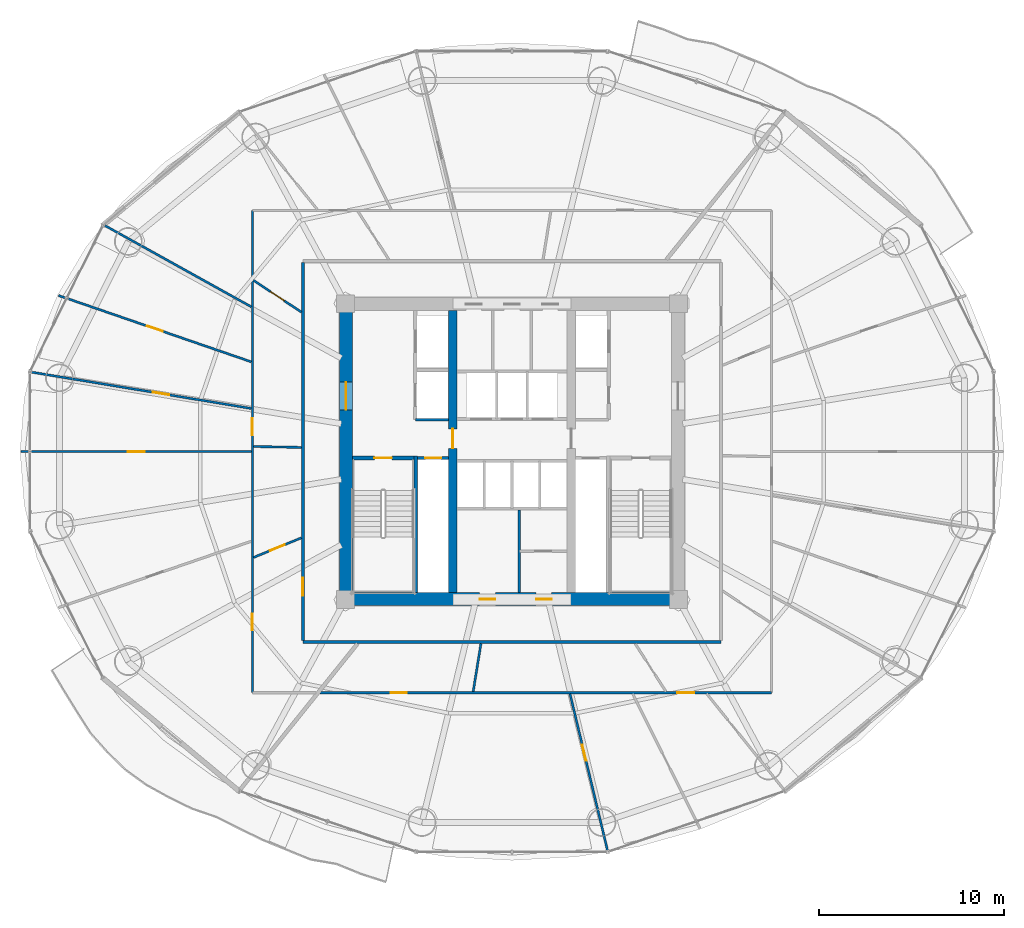
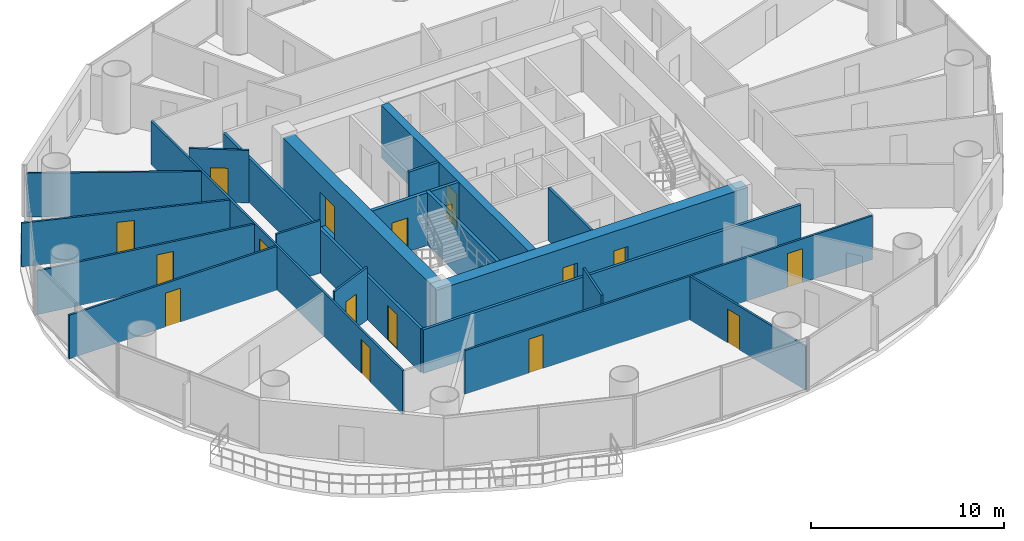
# One storey, part 22 of 29: 21 walls, 17 doors, 17 openings.
"""IFC4 building model written with IfcOpenShell, lengths in metres."""

from ifc_helpers import new_model, si_unit, direction, frame, frame_2d, origin, place, context, subcontext, project, spatial, rectangle, extrude, source, transform, mapped, material, layer, layer_set, type_object, element, fill, save


model = new_model("IFC4")

# Units and contexts
model_context = context("Model", 3, precision=1e-05, world=origin(), true_north=direction((-0.2419218956, 0.970295726276)))
body_context = subcontext(model_context, "Body", "Model", "MODEL_VIEW")
ifc_project = project(units=[si_unit("LENGTHUNIT", "METRE"), si_unit("AREAUNIT", "SQUARE_METRE"), si_unit("VOLUMEUNIT", "CUBIC_METRE"), si_unit("PLANEANGLEUNIT", "RADIAN"), si_unit("MASSUNIT", "GRAM", prefix="KILO")], contexts=[model_context])

# Site, building, storey
site_placement = place(None, origin())
site = spatial("IfcSite", under=ifc_project, at=site_placement, CompositionType="ELEMENT")
building_placement = place(site_placement, origin())
building = spatial("IfcBuilding", under=site, at=building_placement, Name="Cobrevalo Terracotta Tower", CompositionType="ELEMENT")
storey_placement = place(building_placement, frame((0.0, 0.0, 115.800048828125)))
storey = spatial("IfcBuildingStorey", under=building, at=storey_placement, Name="L30", CompositionType="ELEMENT", Elevation=115.800048828125)

# Wall, openings, doors
ifc_material_1 = material(Name="Concrete C60", Category="concrete")
ifc_layer_1 = layer(ifc_material_1, 0.699951171875)
ifc_layer_set_1 = layer_set([ifc_layer_1], Name="Concrete C60")
wall_type_1 = type_object("IfcWallType", Name="Core shear wall 700 mm Concrete C60", PredefinedType="SHEAR", material=ifc_layer_set_1)
wall_1_placement = place(storey_placement, frame((28.675048828125, 18.824951171875, 0.0), z_axis=(0.0, 0.0, 1.0), x_axis=(1.0, 0.0, 0.0)))
wall_1 = element("IfcWall", 1, at=wall_1_placement, inside=storey, type_object=wall_type_1, Name="L30 south core shear wall", PredefinedType="SHEAR", context=body_context, shape_type="SweptSolid", body=[
    extrude(rectangle(XDim=18.64990234375, YDim=0.699951171875, at=frame_2d((9.324951171875, 0.0))), origin(), (0.0, 0.0, 1.0), 3.324951171875),
])
opening_1_placement = place(wall_1_placement, frame((7.577392578125, 0.0, 0.0)))
opening_1 = element("IfcOpeningElement", 2, at=opening_1_placement, cuts=wall_1, Name="Opening ID-22", PredefinedType="OPENING", context=body_context, shape_type="SweptSolid", body=[
    extrude(rectangle(XDim=0.85009765625, YDim=2.10009765625, at=frame_2d((0.425048828125, 1.050048828125))), frame((0.0, 0.35986328125, 0.0), z_axis=(0.0, -1.0, 0.0), x_axis=(1.0, 0.0, 0.0)), (0.0, 0.0, 1.0), 0.719970703125),
])
opening_2_placement = place(wall_1_placement, frame((10.62255859375, 0.0, 0.0)))
opening_2 = element("IfcOpeningElement", 3, at=opening_2_placement, cuts=wall_1, Name="Opening ID-22", PredefinedType="OPENING", context=body_context, shape_type="SweptSolid", body=[
    extrude(rectangle(XDim=0.85009765625, YDim=2.10009765625, at=frame_2d((0.425048828125, 1.050048828125))), frame((0.0, 0.35986328125, 0.0), z_axis=(0.0, -1.0, 0.0), x_axis=(1.0, 0.0, 0.0)), (0.0, 0.0, 1.0), 0.719970703125),
])
ifc_material_2 = material(Name="Powder-coated steel", Category="steel")
door_type_1 = type_object("IfcDoorType", Name="Riser shaft & meter closet fire access door 850x2100 EI 60", OperationType="NOTDEFINED", PredefinedType="DOOR", material=ifc_material_2)
shared_shape_1 = source(origin(), body_context, "Body", "SweptSolid", [
    extrude(rectangle(XDim=0.85009765625, YDim=2.10009765625, at=frame_2d((0.425048828125, 1.050048828125))), frame((0.0, 0.02490234375, 0.0), z_axis=(0.0, -1.0, 0.0), x_axis=(1.0, 0.0, 0.0)), (0.0, 0.0, 1.0), 0.050048828125),
])
door_1_placement = place(opening_1_placement, origin())
door_1 = element("IfcDoor", 4, at=door_1_placement, inside=storey, type_object=door_type_1, Name="L30 core south plant door Floor AHU Mechanical Plant", OperationType="SINGLE_SWING_RIGHT", OverallHeight=2.10009765625, OverallWidth=0.85009765625, PredefinedType="DOOR", context=body_context, shape_type="MappedRepresentation", body=[
    mapped(shared_shape_1, transform((0.0, 0.0, 0.0), scale=1.0)),
])
fill(opening_1, door_1)
door_2_placement = place(opening_2_placement, origin())
door_2 = element("IfcDoor", 5, at=door_2_placement, inside=storey, type_object=door_type_1, Name="L30 core south plant door Sprinkler Valve Plant", OperationType="SINGLE_SWING_RIGHT", OverallHeight=2.10009765625, OverallWidth=0.85009765625, PredefinedType="DOOR", context=body_context, shape_type="MappedRepresentation", body=[
    mapped(shared_shape_1, transform((0.0, 0.0, 0.0), scale=1.0)),
])
fill(opening_2, door_2)

# Wall, opening, door
wall_2_placement = place(storey_placement, frame((29.02490234375, 19.175048828125, 0.0), z_axis=(0.0, 0.0, 1.0), x_axis=(0.0, 1.0, 0.0)))
wall_2 = element("IfcWall", 6, at=wall_2_placement, inside=storey, type_object=wall_type_1, Name="L30 west core shear wall", PredefinedType="SHEAR", context=body_context, shape_type="SweptSolid", body=[
    extrude(rectangle(XDim=15.25, YDim=0.699951171875, at=frame_2d((7.625, 0.0))), origin(), (0.0, 0.0, 1.0), 3.324951171875),
])
opening_3_placement = place(wall_2_placement, frame((9.875, 0.0, 0.0)))
opening_3 = element("IfcOpeningElement", 7, at=opening_3_placement, cuts=wall_2, Name="Opening ID-14", PredefinedType="OPENING", context=body_context, shape_type="SweptSolid", body=[
    extrude(rectangle(XDim=1.5, YDim=2.199951171875, at=frame_2d((0.75, 1.10009765625))), frame((0.0, 0.35986328125, 0.0), z_axis=(0.0, -1.0, 0.0), x_axis=(1.0, 0.0, 0.0)), (0.0, 0.0, 1.0), 0.719970703125),
])
ifc_material_3 = material(Name="Galvanized fire-rated steel", Category="steel")
door_type_2 = type_object("IfcDoorType", Name="Core cross-lobby double fire door 1500x2200 EI 90", OperationType="NOTDEFINED", PredefinedType="DOOR", material=ifc_material_3)
shared_shape_2 = source(origin(), body_context, "Body", "SweptSolid", [
    extrude(rectangle(XDim=1.5, YDim=2.199951171875, at=frame_2d((0.75, 1.10009765625))), frame((0.0, 0.02490234375, 0.0), z_axis=(0.0, -1.0, 0.0), x_axis=(1.0, 0.0, 0.0)), (0.0, 0.0, 1.0), 0.050048828125),
])
door_3_placement = place(opening_3_placement, origin())
door_3 = element("IfcDoor", 8, at=door_3_placement, inside=storey, type_object=door_type_2, Name="L30 west firefighting lobby entrance door", OperationType="DOUBLE_DOOR_SINGLE_SWING", OverallHeight=2.199951171875, OverallWidth=1.5, PredefinedType="DOOR", context=body_context, shape_type="MappedRepresentation", body=[
    mapped(shared_shape_2, transform((0.0, 0.0, 0.0), scale=1.0)),
])
fill(opening_3, door_3)

# Walls
ifc_material_4 = material(Name="Gypsum board on steel stud", Category="steel")
ifc_layer_2 = layer(ifc_material_4, 0.159912109375)
ifc_layer_set_2 = layer_set([ifc_layer_2], Name="Gypsum board on steel stud")
wall_type_2 = type_object("IfcWallType", Name="Fire-rated corridor acoustic partition wall 160 mm", PredefinedType="PARTITIONING", material=ifc_layer_set_2)
wall_3_placement = place(storey_placement, frame((32.77001953125, 28.52001953125, 0.0), z_axis=(0.0, 0.0, 1.0), x_axis=(1.0, 0.0, 0.0)))
element("IfcWall", 9, at=wall_3_placement, inside=storey, type_object=wall_type_2, Name="L30 interior partition IW-L30-FF1-S", PredefinedType="PARTITIONING", context=body_context, shape_type="SweptSolid", body=[
    extrude(rectangle(XDim=1.804931640625, YDim=0.159912109375, at=frame_2d((0.90234375, 0.0))), origin(), (0.0, 0.0, 1.0), 3.324951171875),
])
wall_4_placement = place(storey_placement, frame((26.695068359375, 16.4951171875, 0.0), z_axis=(0.0, 0.0, 1.0), x_axis=(1.0, 0.0, 0.0)))
element("IfcWall", 10, at=wall_4_placement, inside=storey, type_object=wall_type_2, Name="L30 interior partition IW-L30-COR-S", PredefinedType="PARTITIONING", context=body_context, shape_type="SweptSolid", body=[
    extrude(rectangle(XDim=22.60986328125, YDim=0.159912109375, at=frame_2d((11.304931640625, 0.0))), origin(), (0.0, 0.0, 1.0), 2.766845703125),
])

# Wall, opening, door
wall_5_placement = place(storey_placement, frame((26.695068359375, 16.574951171875, 0.0), z_axis=(0.0, 0.0, 1.0), x_axis=(0.0, 1.0, 0.0)))
wall_5 = element("IfcWall", 11, at=wall_5_placement, inside=storey, type_object=wall_type_2, Name="L30 interior partition IW-L30-COR-W", PredefinedType="PARTITIONING", context=body_context, shape_type="SweptSolid", body=[
    extrude(rectangle(XDim=20.449951171875, YDim=0.159912109375, at=frame_2d((10.22509765625, 0.0))), origin(), (0.0, 0.0, 1.0), 2.766845703125),
])
opening_4_placement = place(wall_5_placement, frame((2.42431640625, 0.0, 0.0)))
opening_4 = element("IfcOpeningElement", 12, at=opening_4_placement, cuts=wall_5, Name="Opening ID-05", PredefinedType="OPENING", context=body_context, shape_type="SweptSolid", body=[
    extrude(rectangle(XDim=0.97998046875, YDim=2.199951171875, at=frame_2d((0.489990234375, 1.10009765625))), frame((0.0, 0.08984375, 0.0), z_axis=(0.0, -1.0, 0.0), x_axis=(1.0, 0.0, 0.0)), (0.0, 0.0, 1.0), 0.179931640625),
])
ifc_material_5 = material(Name="Solid hardwood timber", Category="wood")
door_type_3 = type_object("IfcDoorType", Name="Residence entrance fire-rated acoustic timber door 980x2200 EI 60", OperationType="NOTDEFINED", PredefinedType="DOOR", material=ifc_material_5)
shared_shape_3 = source(origin(), body_context, "Body", "SweptSolid", [
    extrude(rectangle(XDim=0.97998046875, YDim=2.199951171875, at=frame_2d((0.489990234375, 1.10009765625))), frame((0.0, 0.02490234375, 0.0), z_axis=(0.0, -1.0, 0.0), x_axis=(1.0, 0.0, 0.0)), (0.0, 0.0, 1.0), 0.050048828125),
])
door_4_placement = place(opening_4_placement, origin())
door_4 = element("IfcDoor", 13, at=door_4_placement, inside=storey, type_object=door_type_3, Name="Flat L30A fire-rated apartment entrance door", OperationType="SINGLE_SWING_RIGHT", OverallHeight=2.199951171875, OverallWidth=0.97998046875, PredefinedType="DOOR", context=body_context, shape_type="MappedRepresentation", body=[
    mapped(shared_shape_3, transform((0.0, 0.0, 0.0), scale=1.0)),
])
fill(opening_4, door_4)

ifc_layer_3 = layer(ifc_material_4, 0.179931640625)
ifc_layer_set_3 = layer_set([ifc_layer_3], Name="Gypsum board on steel stud")
wall_type_3 = type_object("IfcWallType", Name="Fire-rated shaft & lobby acoustic partition wall 180 mm", PredefinedType="PARTITIONING", material=ifc_layer_set_3)
wall_6_placement = place(storey_placement, frame((32.89990234375, 26.449951171875, 0.0), z_axis=(0.0, 0.0, 1.0), x_axis=(1.0, 0.0, 0.0)))
wall_6 = element("IfcWall", 14, at=wall_6_placement, inside=storey, type_object=wall_type_3, Name="L30 interior partition IW-L30-RSW-N", PredefinedType="PARTITIONING", context=body_context, shape_type="SweptSolid", body=[
    extrude(rectangle(XDim=1.675048828125, YDim=0.179931640625, at=frame_2d((0.83740234375, 0.0))), origin(), (0.0, 0.0, 1.0), 3.324951171875),
])
opening_5_placement = place(wall_6_placement, frame((0.41259765625, 0.0, 0.0)))
opening_5 = element("IfcOpeningElement", 15, at=opening_5_placement, cuts=wall_6, Name="Opening ID-22", PredefinedType="OPENING", context=body_context, shape_type="SweptSolid", body=[
    extrude(rectangle(XDim=0.85009765625, YDim=2.10009765625, at=frame_2d((0.425048828125, 1.050048828125))), frame((0.0, 0.10009765625, 0.0), z_axis=(0.0, -1.0, 0.0), x_axis=(1.0, 0.0, 0.0)), (0.0, 0.0, 1.0), 0.199951171875),
])
door_5_placement = place(opening_5_placement, origin())
door_5 = element("IfcDoor", 16, at=door_5_placement, inside=storey, type_object=door_type_1, Name="L30 riser access door RSW", OperationType="SINGLE_SWING_LEFT", OverallHeight=2.10009765625, OverallWidth=0.85009765625, PredefinedType="DOOR", context=body_context, shape_type="MappedRepresentation", body=[
    mapped(shared_shape_1, transform((0.0, 0.0, 0.0), scale=1.0)),
])
fill(opening_5, door_5)

ifc_material_6 = material(Name="Concrete C55", Category="concrete")
ifc_layer_4 = layer(ifc_material_6, 0.449951171875)
ifc_layer_set_4 = layer_set([ifc_layer_4], Name="Concrete C55")
wall_type_4 = type_object("IfcWallType", Name="Internal core shear web wall 450 mm Concrete C55", PredefinedType="SHEAR", material=ifc_layer_set_4)
wall_7_placement = place(storey_placement, frame((34.800048828125, 19.175048828125, 0.0), z_axis=(0.0, 0.0, 1.0), x_axis=(0.0, 1.0, 0.0)))
wall_7 = element("IfcWall", 17, at=wall_7_placement, inside=storey, type_object=wall_type_4, Name="L30 internal core shear wall WEB-W", PredefinedType="SHEAR", context=body_context, shape_type="SweptSolid", body=[
    extrude(rectangle(XDim=15.25, YDim=0.449951171875, at=frame_2d((7.625, 0.0))), origin(), (0.0, 0.0, 1.0), 3.324951171875),
])
opening_6_placement = place(wall_7_placement, frame((7.800048828125, 0.0, 0.0)))
opening_6 = element("IfcOpeningElement", 18, at=opening_6_placement, cuts=wall_7, Name="Opening ID-11", PredefinedType="OPENING", context=body_context, shape_type="SweptSolid", body=[
    extrude(rectangle(XDim=1.050048828125, YDim=2.14990234375, at=frame_2d((0.52490234375, 1.074951171875))), frame((0.0, 0.23486328125, 0.0), z_axis=(0.0, -1.0, 0.0), x_axis=(1.0, 0.0, 0.0)), (0.0, 0.0, 1.0), 0.469970703125),
])
door_type_4 = type_object("IfcDoorType", Name="Core concourse cross fire door 1050x2150 EI 90", OperationType="NOTDEFINED", PredefinedType="DOOR", material=ifc_material_3)
shared_shape_4 = source(origin(), body_context, "Body", "SweptSolid", [
    extrude(rectangle(XDim=1.050048828125, YDim=2.14990234375, at=frame_2d((0.52490234375, 1.074951171875))), frame((0.0, 0.02490234375, 0.0), z_axis=(0.0, -1.0, 0.0), x_axis=(1.0, 0.0, 0.0)), (0.0, 0.0, 1.0), 0.050048828125),
])
door_6_placement = place(opening_6_placement, origin())
door_6 = element("IfcDoor", 19, at=door_6_placement, inside=storey, type_object=door_type_4, Name="L30 west core concourse cross door", OperationType="SINGLE_SWING_LEFT", OverallHeight=2.14990234375, OverallWidth=1.050048828125, PredefinedType="DOOR", context=body_context, shape_type="MappedRepresentation", body=[
    mapped(shared_shape_4, transform((0.0, 0.0, 0.0), scale=1.0)),
])
fill(opening_6, door_6)

# Wall
ifc_material_7 = material(Name="Autoclaved aerated concrete block", Category="concrete")
ifc_layer_5 = layer(ifc_material_7, 0.139892578125)
ifc_layer_set_5 = layer_set([ifc_layer_5], Name="Autoclaved aerated concrete block")
wall_type_5 = type_object("IfcWallType", Name="Moisture-resistant wet-room & core service partition 140 mm", PredefinedType="PARTITIONING", material=ifc_layer_set_5)
wall_8_placement = place(storey_placement, frame((38.39990234375, 19.175048828125, 0.0), z_axis=(0.0, 0.0, 1.0), x_axis=(0.0, 1.0, 0.0)))
element("IfcWall", 20, at=wall_8_placement, inside=storey, type_object=wall_type_5, Name="L30 interior partition IW-L30-KVS-L1", PredefinedType="PARTITIONING", context=body_context, shape_type="SweptSolid", body=[
    extrude(rectangle(XDim=4.46484375, YDim=0.139892578125, at=frame_2d((2.232421875, 0.0))), origin(), (0.0, 0.0, 1.0), 3.324951171875),
])

# Wall, openings, doors
ifc_layer_6 = layer(ifc_material_4, 0.1201171875)
ifc_layer_set_6 = layer_set([ifc_layer_6], Name="Gypsum board on steel stud")
wall_type_6 = type_object("IfcWallType", Name="Residential internal acoustic stud partition 120 mm", PredefinedType="PARTITIONING", material=ifc_layer_set_6)
wall_9_placement = place(storey_placement, frame((23.965087890625, 13.764892578125, 0.0), z_axis=(0.0, 0.0, 1.0), x_axis=(0.0, 1.0, 0.0)))
wall_9 = element("IfcWall", 21, at=wall_9_placement, inside=storey, type_object=wall_type_6, Name="L30 interior partition IW-L30-U1-RING1_0", PredefinedType="PARTITIONING", context=body_context, shape_type="SweptSolid", body=[
    extrude(rectangle(XDim=26.070068359375, YDim=0.1201171875, at=frame_2d((13.03515625, 0.0))), origin(), (0.0, 0.0, 1.0), 2.766845703125),
])
opening_7_placement = place(wall_9_placement, frame((3.362060546875, 0.0, 0.0)))
opening_7 = element("IfcOpeningElement", 22, at=opening_7_placement, cuts=wall_9, Name="Opening ID-12", PredefinedType="OPENING", context=body_context, shape_type="SweptSolid", body=[
    extrude(rectangle(XDim=0.89990234375, YDim=2.14990234375, at=frame_2d((0.449951171875, 1.074951171875))), frame((0.0, 0.070068359375, 0.0), z_axis=(0.0, -1.0, 0.0), x_axis=(1.0, 0.0, 0.0)), (0.0, 0.0, 1.0), 0.14013671875),
])
opening_8_placement = place(wall_9_placement, frame((13.923583984375, 0.0, 0.0)))
opening_8 = element("IfcOpeningElement", 23, at=opening_8_placement, cuts=wall_9, Name="Opening ID-12", PredefinedType="OPENING", context=body_context, shape_type="SweptSolid", body=[
    extrude(rectangle(XDim=0.89990234375, YDim=2.14990234375, at=frame_2d((0.449951171875, 1.074951171875))), frame((0.0, 0.070068359375, 0.0), z_axis=(0.0, -1.0, 0.0), x_axis=(1.0, 0.0, 0.0)), (0.0, 0.0, 1.0), 0.14013671875),
])
ifc_material_8 = material(Name="Engineered timber", Category="wood")
door_type_5 = type_object("IfcDoorType", Name="Internal residence & suite timber door 900x2150", OperationType="NOTDEFINED", PredefinedType="DOOR", material=ifc_material_8)
shared_shape_5 = source(origin(), body_context, "Body", "SweptSolid", [
    extrude(rectangle(XDim=0.89990234375, YDim=2.14990234375, at=frame_2d((0.449951171875, 1.074951171875))), frame((0.0, 0.02490234375, 0.0), z_axis=(0.0, -1.0, 0.0), x_axis=(1.0, 0.0, 0.0)), (0.0, 0.0, 1.0), 0.050048828125),
])
door_7_placement = place(opening_7_placement, origin())
door_7 = element("IfcDoor", 24, at=door_7_placement, inside=storey, type_object=door_type_5, Name="Flat L30A Private Cinema Room internal door", OperationType="SINGLE_SWING_RIGHT", OverallHeight=2.14990234375, OverallWidth=0.89990234375, PredefinedType="DOOR", context=body_context, shape_type="MappedRepresentation", body=[
    mapped(shared_shape_5, transform((0.0, 0.0, 0.0), scale=1.0)),
])
fill(opening_7, door_7)
door_8_placement = place(opening_8_placement, frame((0.89990234375, 0.0, 0.0), z_axis=(0.0, 0.0, 1.0), x_axis=(-1.0, 0.0, 0.0)))
door_8 = element("IfcDoor", 25, at=door_8_placement, inside=storey, type_object=door_type_5, Name="Flat L30A Kitchen internal door", OperationType="SINGLE_SWING_LEFT", OverallHeight=2.14990234375, OverallWidth=0.89990234375, PredefinedType="DOOR", context=body_context, shape_type="MappedRepresentation", body=[
    mapped(shared_shape_5, transform((0.0, 0.0, 0.0), scale=1.0)),
])
fill(opening_8, door_8)

# Wall
wall_10_placement = place(storey_placement, frame((23.910888671875, 34.62158203125, 0.0), z_axis=(0.0, 0.0, 1.0), x_axis=(-0.874324904351, 0.485341077626, 0.0)))
element("IfcWall", 26, at=wall_10_placement, inside=storey, type_object=wall_type_6, Name="L30 interior partition IW-L30-U1-ORAD3", PredefinedType="PARTITIONING", context=body_context, shape_type="SweptSolid", body=[
    extrude(rectangle(XDim=9.065673828125, YDim=0.1201171875, at=frame_2d((4.53271484375, 0.0))), origin(), (0.0, 0.0, 1.0), 2.766845703125),
])

# Wall, opening, door
wall_11_placement = place(storey_placement, frame((23.90625, 31.650146484375, 0.0), z_axis=(0.0, 0.0, 1.0), x_axis=(-0.945573120726, 0.32540970078, 0.0)))
wall_11 = element("IfcWall", 27, at=wall_11_placement, inside=storey, type_object=wall_type_6, Name="L30 interior partition IW-L30-U1-ORAD4M1", PredefinedType="PARTITIONING", context=body_context, shape_type="SweptSolid", body=[
    extrude(rectangle(XDim=11.02197265625, YDim=0.1201171875, at=frame_2d((5.510986328125, 0.0))), origin(), (0.0, 0.0, 1.0), 2.766845703125),
])
opening_9_placement = place(wall_11_placement, frame((5.06103515625, 0.0, 0.0)))
opening_9 = element("IfcOpeningElement", 28, at=opening_9_placement, cuts=wall_11, Name="Opening ID-12", PredefinedType="OPENING", context=body_context, shape_type="SweptSolid", body=[
    extrude(rectangle(XDim=0.89990234375, YDim=2.14990234375, at=frame_2d((0.449951171875, 1.074951171875))), frame((0.0, 0.070068359375, 0.0), z_axis=(0.0, -1.0, 0.0), x_axis=(1.0, 0.0, 0.0)), (0.0, 0.0, 1.0), 0.14013671875),
])
door_9_placement = place(opening_9_placement, frame((0.89990234375, 0.0, 0.0), z_axis=(0.0, 0.0, 1.0), x_axis=(-1.0, 0.0, 0.0)))
door_9 = element("IfcDoor", 29, at=door_9_placement, inside=storey, type_object=door_type_5, Name="Flat L30A South Bedroom internal door", OperationType="SINGLE_SWING_RIGHT", OverallHeight=2.14990234375, OverallWidth=0.89990234375, PredefinedType="DOOR", context=body_context, shape_type="MappedRepresentation", body=[
    mapped(shared_shape_5, transform((0.0, 0.0, 0.0), scale=1.0)),
])
fill(opening_9, door_9)

wall_12_placement = place(storey_placement, frame((23.90380859375, 29.129638671875, 0.0), z_axis=(0.0, 0.0, 1.0), x_axis=(-0.986618264768, 0.163047231274, 0.0)))
wall_12 = element("IfcWall", 30, at=wall_12_placement, inside=storey, type_object=wall_type_6, Name="L30 interior partition IW-L30-U1-ORAD4M2", PredefinedType="PARTITIONING", context=body_context, shape_type="SweptSolid", body=[
    extrude(rectangle(XDim=12.038818359375, YDim=0.1201171875, at=frame_2d((6.01953125, 0.0))), origin(), (0.0, 0.0, 1.0), 2.766845703125),
])
opening_10_placement = place(wall_12_placement, frame((4.496337890625, 0.0, 0.0)))
opening_10 = element("IfcOpeningElement", 31, at=opening_10_placement, cuts=wall_12, Name="Opening ID-12", PredefinedType="OPENING", context=body_context, shape_type="SweptSolid", body=[
    extrude(rectangle(XDim=0.89990234375, YDim=2.14990234375, at=frame_2d((0.449951171875, 1.074951171875))), frame((0.0, 0.070068359375, 0.0), z_axis=(0.0, -1.0, 0.0), x_axis=(1.0, 0.0, 0.0)), (0.0, 0.0, 1.0), 0.14013671875),
])
door_10_placement = place(opening_10_placement, frame((0.89990234375, 0.0, 0.0), z_axis=(0.0, 0.0, 1.0), x_axis=(-1.0, 0.0, 0.0)))
door_10 = element("IfcDoor", 32, at=door_10_placement, inside=storey, type_object=door_type_5, Name="Flat L30A Penthouse Family Lounge internal door", OperationType="SINGLE_SWING_RIGHT", OverallHeight=2.14990234375, OverallWidth=0.89990234375, PredefinedType="DOOR", context=body_context, shape_type="MappedRepresentation", body=[
    mapped(shared_shape_5, transform((0.0, 0.0, 0.0), scale=1.0)),
])
fill(opening_10, door_10)

wall_13_placement = place(storey_placement, frame((23.903076171875, 26.800048828125, 0.0), z_axis=(0.0, 0.0, 1.0), x_axis=(-1.0, 0.0, 0.0)))
wall_13 = element("IfcWall", 33, at=wall_13_placement, inside=storey, type_object=wall_type_6, Name="L30 interior partition IW-L30-U1-ORAD4", PredefinedType="PARTITIONING", context=body_context, shape_type="SweptSolid", body=[
    extrude(rectangle(XDim=12.443115234375, YDim=0.1201171875, at=frame_2d((6.2216796875, 0.0))), origin(), (0.0, 0.0, 1.0), 2.766845703125),
])
opening_11_placement = place(wall_13_placement, frame((5.771484375, 0.0, 0.0)))
opening_11 = element("IfcOpeningElement", 34, at=opening_11_placement, cuts=wall_13, Name="Opening ID-12", PredefinedType="OPENING", context=body_context, shape_type="SweptSolid", body=[
    extrude(rectangle(XDim=0.89990234375, YDim=2.14990234375, at=frame_2d((0.449951171875, 1.074951171875))), frame((0.0, 0.070068359375, 0.0), z_axis=(0.0, -1.0, 0.0), x_axis=(1.0, 0.0, 0.0)), (0.0, 0.0, 1.0), 0.14013671875),
])
door_11_placement = place(opening_11_placement, frame((0.89990234375, 0.0, 0.0), z_axis=(0.0, 0.0, 1.0), x_axis=(-1.0, 0.0, 0.0)))
door_11 = element("IfcDoor", 35, at=door_11_placement, inside=storey, type_object=door_type_5, Name="Flat L30A Penthouse Family Lounge internal door", OperationType="SINGLE_SWING_RIGHT", OverallHeight=2.14990234375, OverallWidth=0.89990234375, PredefinedType="DOOR", context=body_context, shape_type="MappedRepresentation", body=[
    mapped(shared_shape_5, transform((0.0, 0.0, 0.0), scale=1.0)),
])
fill(opening_11, door_11)

wall_14_placement = place(storey_placement, frame((26.614990234375, 34.33740234375, 0.0), z_axis=(0.0, 0.0, 1.0), x_axis=(-0.833829855758, 0.552021531868, 0.0)))
wall_14 = element("IfcWall", 36, at=wall_14_placement, inside=storey, type_object=wall_type_6, Name="L30 interior partition IW-L30-U1-IRAD3", PredefinedType="PARTITIONING", context=body_context, shape_type="SweptSolid", body=[
    extrude(rectangle(XDim=3.1162109375, YDim=0.1201171875, at=frame_2d((1.55810546875, 0.0))), origin(), (0.0, 0.0, 1.0), 3.324951171875),
])
opening_12_placement = place(wall_14_placement, frame((1.108154296875, 0.0, 0.0)))
opening_12 = element("IfcOpeningElement", 37, at=opening_12_placement, cuts=wall_14, Name="Opening ID-12", PredefinedType="OPENING", context=body_context, shape_type="SweptSolid", body=[
    extrude(rectangle(XDim=0.89990234375, YDim=2.14990234375, at=frame_2d((0.449951171875, 1.074951171875))), frame((0.0, 0.070068359375, 0.0), z_axis=(0.0, -1.0, 0.0), x_axis=(1.0, 0.0, 0.0)), (0.0, 0.0, 1.0), 0.14013671875),
])
door_12_placement = place(opening_12_placement, frame((0.89990234375, 0.0, 0.0), z_axis=(0.0, 0.0, 1.0), x_axis=(-1.0, 0.0, 0.0)))
door_12 = element("IfcDoor", 38, at=door_12_placement, inside=storey, type_object=door_type_5, Name="Flat L30A Private Wellness Room internal door", OperationType="SINGLE_SWING_LEFT", OverallHeight=2.14990234375, OverallWidth=0.89990234375, PredefinedType="DOOR", context=body_context, shape_type="MappedRepresentation", body=[
    mapped(shared_shape_5, transform((0.0, 0.0, 0.0), scale=1.0)),
])
fill(opening_12, door_12)

# Wall
wall_15_placement = place(storey_placement, frame((26.614990234375, 27.02294921875, 0.0), z_axis=(0.0, 0.0, 1.0), x_axis=(-0.999809377232, 0.019524579348, 0.0)))
element("IfcWall", 39, at=wall_15_placement, inside=storey, type_object=wall_type_6, Name="L30 interior partition IW-L30-U1-IRAD4", PredefinedType="PARTITIONING", context=body_context, shape_type="SweptSolid", body=[
    extrude(rectangle(XDim=2.58837890625, YDim=0.1201171875, at=frame_2d((1.294189453125, 0.0))), origin(), (0.0, 0.0, 1.0), 3.324951171875),
])

# Wall, opening, door
wall_16_placement = place(storey_placement, frame((26.614990234375, 22.13525390625, 0.0), z_axis=(0.0, 0.0, 1.0), x_axis=(-0.925337216259, -0.379145138708, 0.0)))
wall_16 = element("IfcWall", 40, at=wall_16_placement, inside=storey, type_object=wall_type_6, Name="L30 interior partition IW-L30-U1-IRAD5", PredefinedType="PARTITIONING", context=body_context, shape_type="SweptSolid", body=[
    extrude(rectangle(XDim=2.8017578125, YDim=0.1201171875, at=frame_2d((1.40087890625, 0.0))), origin(), (0.0, 0.0, 1.0), 3.324951171875),
])
opening_13_placement = place(wall_16_placement, frame((0.970947265625, 0.0, 0.0)))
opening_13 = element("IfcOpeningElement", 41, at=opening_13_placement, cuts=wall_16, Name="Opening ID-19", PredefinedType="OPENING", context=body_context, shape_type="SweptSolid", body=[
    extrude(rectangle(XDim=0.860107421875, YDim=2.14990234375, at=frame_2d((0.43017578125, 1.074951171875))), frame((0.0, 0.070068359375, 0.0), z_axis=(0.0, -1.0, 0.0), x_axis=(1.0, 0.0, 0.0)), (0.0, 0.0, 1.0), 0.14013671875),
])
ifc_material_9 = material(Name="Moisture-sealed timber", Category="wood")
door_type_6 = type_object("IfcDoorType", Name="Suite bathroom internal timber door 860x2150", OperationType="NOTDEFINED", PredefinedType="DOOR", material=ifc_material_9)
shared_shape_6 = source(origin(), body_context, "Body", "SweptSolid", [
    extrude(rectangle(XDim=0.860107421875, YDim=2.14990234375, at=frame_2d((0.43017578125, 1.074951171875))), frame((0.0, 0.02490234375, 0.0), z_axis=(0.0, -1.0, 0.0), x_axis=(1.0, 0.0, 0.0)), (0.0, 0.0, 1.0), 0.050048828125),
])
door_13_placement = place(opening_13_placement, frame((0.860107421875, 0.0, 0.0), z_axis=(0.0, 0.0, 1.0), x_axis=(-1.0, 0.0, 0.0)))
door_13 = element("IfcDoor", 42, at=door_13_placement, inside=storey, type_object=door_type_6, Name="Flat L30A Primary Bathroom internal door", OperationType="SINGLE_SWING_LEFT", OverallHeight=2.14990234375, OverallWidth=0.860107421875, PredefinedType="DOOR", context=body_context, shape_type="MappedRepresentation", body=[
    mapped(shared_shape_6, transform((0.0, 0.0, 0.0), scale=1.0)),
])
fill(opening_13, door_13)

# Wall, openings, doors
wall_17_placement = place(storey_placement, frame((52.034912109375, 13.764892578125, 0.0), z_axis=(0.0, 0.0, 1.0), x_axis=(-1.0, 0.0, 0.0)))
wall_17 = element("IfcWall", 43, at=wall_17_placement, inside=storey, type_object=wall_type_6, Name="L30 interior partition IW-L30-U2-RING2_0", PredefinedType="PARTITIONING", context=body_context, shape_type="SweptSolid", body=[
    extrude(rectangle(XDim=24.416015625, YDim=0.1201171875, at=frame_2d((12.2080078125, 0.0))), origin(), (0.0, 0.0, 1.0), 2.766845703125),
])
opening_14_placement = place(wall_17_placement, frame((4.192138671875, 0.0, 0.0)))
opening_14 = element("IfcOpeningElement", 44, at=opening_14_placement, cuts=wall_17, Name="Opening ID-12", PredefinedType="OPENING", context=body_context, shape_type="SweptSolid", body=[
    extrude(rectangle(XDim=0.89990234375, YDim=2.14990234375, at=frame_2d((0.449951171875, 1.074951171875))), frame((0.0, 0.070068359375, 0.0), z_axis=(0.0, -1.0, 0.0), x_axis=(1.0, 0.0, 0.0)), (0.0, 0.0, 1.0), 0.14013671875),
])
opening_15_placement = place(wall_17_placement, frame((19.727783203125, 0.0, 0.0)))
opening_15 = element("IfcOpeningElement", 45, at=opening_15_placement, cuts=wall_17, Name="Opening ID-19", PredefinedType="OPENING", context=body_context, shape_type="SweptSolid", body=[
    extrude(rectangle(XDim=0.860107421875, YDim=2.14990234375, at=frame_2d((0.43017578125, 1.074951171875))), frame((0.0, 0.070068359375, 0.0), z_axis=(0.0, -1.0, 0.0), x_axis=(1.0, 0.0, 0.0)), (0.0, 0.0, 1.0), 0.14013671875),
])
door_14_placement = place(opening_15_placement, frame((0.860107421875, 0.0, 0.0), z_axis=(0.0, 0.0, 1.0), x_axis=(-1.0, 0.0, 0.0)))
door_14 = element("IfcDoor", 46, at=door_14_placement, inside=storey, type_object=door_type_6, Name="Flat L30B Guest Bathroom internal door", OperationType="SINGLE_SWING_LEFT", OverallHeight=2.14990234375, OverallWidth=0.860107421875, PredefinedType="DOOR", context=body_context, shape_type="MappedRepresentation", body=[
    mapped(shared_shape_6, transform((0.0, 0.0, 0.0), scale=1.0)),
])
fill(opening_15, door_14)
door_15_placement = place(opening_14_placement, origin())
door_15 = element("IfcDoor", 47, at=door_15_placement, inside=storey, type_object=door_type_5, Name="Flat L30B Principal Guest Bedroom internal door", OperationType="SINGLE_SWING_LEFT", OverallHeight=2.14990234375, OverallWidth=0.89990234375, PredefinedType="DOOR", context=body_context, shape_type="MappedRepresentation", body=[
    mapped(shared_shape_5, transform((0.0, 0.0, 0.0), scale=1.0)),
])
fill(opening_14, door_15)

# Wall, opening, door
wall_18_placement = place(storey_placement, frame((41.13525390625, 13.70458984375, 0.0), z_axis=(0.0, 0.0, 1.0), x_axis=(0.23282725047, -0.97251810854, 0.0)))
wall_18 = element("IfcWall", 48, at=wall_18_placement, inside=storey, type_object=wall_type_6, Name="L30 interior partition IW-L30-U2-ORAD1", PredefinedType="PARTITIONING", context=body_context, shape_type="SweptSolid", body=[
    extrude(rectangle(XDim=8.71484375, YDim=0.1201171875, at=frame_2d((4.357421875, 0.0))), origin(), (0.0, 0.0, 1.0), 2.766845703125),
])
opening_16_placement = place(wall_18_placement, frame((2.83056640625, 0.0, 0.0)))
opening_16 = element("IfcOpeningElement", 49, at=opening_16_placement, cuts=wall_18, Name="Opening ID-12", PredefinedType="OPENING", context=body_context, shape_type="SweptSolid", body=[
    extrude(rectangle(XDim=0.89990234375, YDim=2.14990234375, at=frame_2d((0.449951171875, 1.074951171875))), frame((0.0, 0.070068359375, 0.0), z_axis=(0.0, -1.0, 0.0), x_axis=(1.0, 0.0, 0.0)), (0.0, 0.0, 1.0), 0.14013671875),
])
door_16_placement = place(opening_16_placement, frame((0.89990234375, 0.0, 0.0), z_axis=(0.0, 0.0, 1.0), x_axis=(-1.0, 0.0, 0.0)))
door_16 = element("IfcDoor", 50, at=door_16_placement, inside=storey, type_object=door_type_5, Name="Flat L30B Penthouse Living and Dining Room internal door", OperationType="SINGLE_SWING_RIGHT", OverallHeight=2.14990234375, OverallWidth=0.89990234375, PredefinedType="DOOR", context=body_context, shape_type="MappedRepresentation", body=[
    mapped(shared_shape_5, transform((0.0, 0.0, 0.0), scale=1.0)),
])
fill(opening_16, door_16)

# Walls
wall_19_placement = place(storey_placement, frame((36.321044921875, 16.4150390625, 0.0), z_axis=(0.0, 0.0, 1.0), x_axis=(-0.159566101486, -0.9871872463, 0.0)))
element("IfcWall", 51, at=wall_19_placement, inside=storey, type_object=wall_type_6, Name="L30 interior partition IW-L30-U2-IRAD1", PredefinedType="PARTITIONING", context=body_context, shape_type="SweptSolid", body=[
    extrude(rectangle(XDim=2.62255859375, YDim=0.1201171875, at=frame_2d((1.311279296875, 0.0))), origin(), (0.0, 0.0, 1.0), 3.324951171875),
])
ifc_material_10 = material(Name="Concrete C50", Category="concrete")
ifc_layer_7 = layer(ifc_material_10, 0.199951171875)
ifc_layer_set_7 = layer_set([ifc_layer_7], Name="Concrete C50")
wall_type_7 = type_object("IfcWallType", Name="Structural core & podium stair-shaft RC wall 200 mm Concrete C50", PredefinedType="SOLIDWALL", material=ifc_layer_set_7)
wall_20_placement = place(storey_placement, frame((32.794921875, 19.175048828125, 0.0), z_axis=(0.0, 0.0, 1.0), x_axis=(0.0, 1.0, 0.0)))
element("IfcWall", 52, at=wall_20_placement, inside=storey, type_object=wall_type_7, Name="L30 ST-1 east structural shaft wall", PredefinedType="SOLIDWALL", context=body_context, shape_type="SweptSolid", body=[
    extrude(rectangle(XDim=7.375, YDim=0.199951171875, at=frame_2d((3.6875, 0.0))), origin(), (0.0, 0.0, 1.0), 3.324951171875),
])

# Wall, opening, door
wall_21_placement = place(storey_placement, frame((29.375, 26.449951171875, 0.0), z_axis=(0.0, 0.0, 1.0), x_axis=(1.0, 0.0, 0.0)))
wall_21 = element("IfcWall", 53, at=wall_21_placement, inside=storey, type_object=wall_type_7, Name="L30 ST-1 north structural shaft wall", PredefinedType="SOLIDWALL", context=body_context, shape_type="SweptSolid", body=[
    extrude(rectangle(XDim=3.320068359375, YDim=0.199951171875, at=frame_2d((1.66015625, 0.0))), origin(), (0.0, 0.0, 1.0), 3.324951171875),
])
opening_17_placement = place(wall_21_placement, frame((1.18505859375, 0.0, 0.0)))
opening_17 = element("IfcOpeningElement", 54, at=opening_17_placement, cuts=wall_21, Name="Opening ID-04", PredefinedType="OPENING", context=body_context, shape_type="SweptSolid", body=[
    extrude(rectangle(XDim=0.949951171875, YDim=2.14990234375, at=frame_2d((0.47509765625, 1.074951171875))), frame((0.0, 0.10986328125, 0.0), z_axis=(0.0, -1.0, 0.0), x_axis=(1.0, 0.0, 0.0)), (0.0, 0.0, 1.0), 0.219970703125),
])
door_type_7 = type_object("IfcDoorType", Name="Stair & firefighting lobby fire door 950x2150 EI 90", OperationType="NOTDEFINED", PredefinedType="DOOR", material=ifc_material_3)
shared_shape_7 = source(origin(), body_context, "Body", "SweptSolid", [
    extrude(rectangle(XDim=0.949951171875, YDim=2.14990234375, at=frame_2d((0.47509765625, 1.074951171875))), frame((0.0, 0.02490234375, 0.0), z_axis=(0.0, -1.0, 0.0), x_axis=(1.0, 0.0, 0.0)), (0.0, 0.0, 1.0), 0.050048828125),
])
door_17_placement = place(opening_17_placement, origin())
door_17 = element("IfcDoor", 55, at=door_17_placement, inside=storey, type_object=door_type_7, Name="L30 protected stair ST1 fire door", OperationType="SINGLE_SWING_LEFT", OverallHeight=2.14990234375, OverallWidth=0.949951171875, PredefinedType="DOOR", context=body_context, shape_type="MappedRepresentation", body=[
    mapped(shared_shape_7, transform((0.0, 0.0, 0.0), scale=1.0)),
])
fill(opening_17, door_17)

save(model, "model.ifc")
